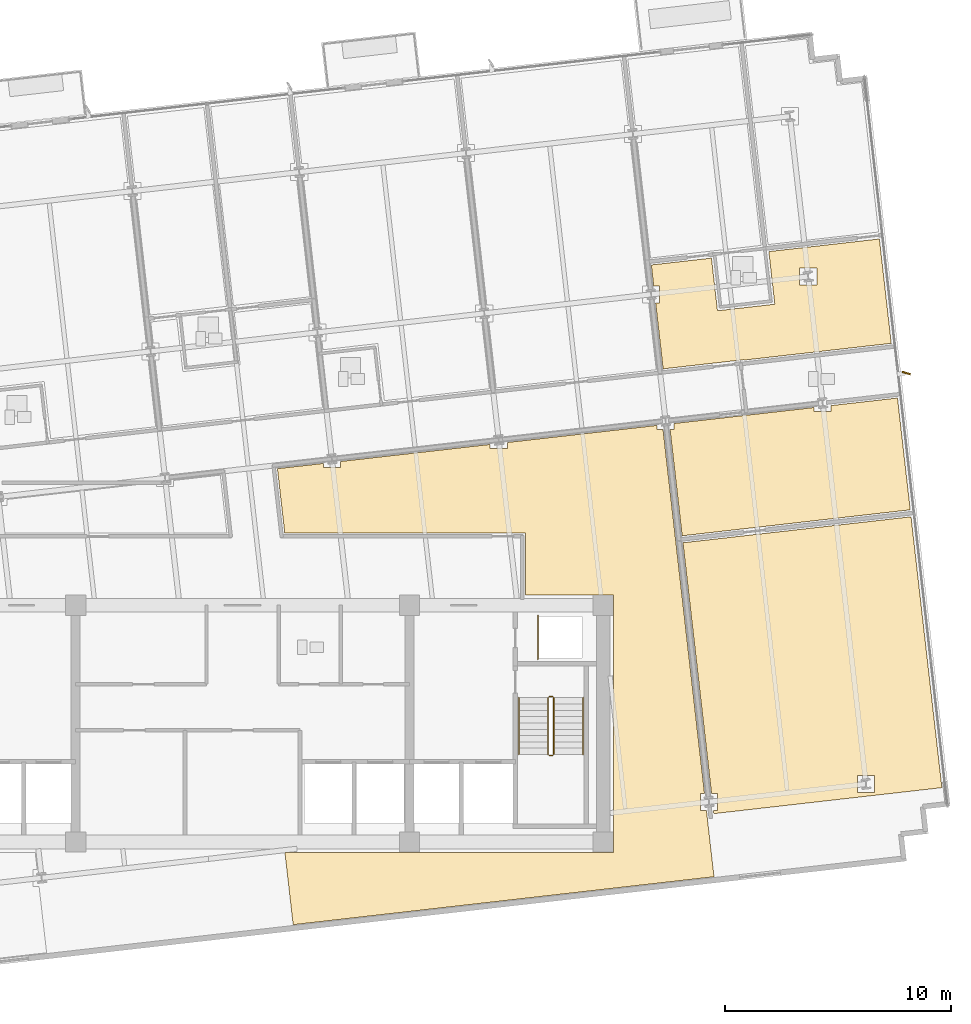
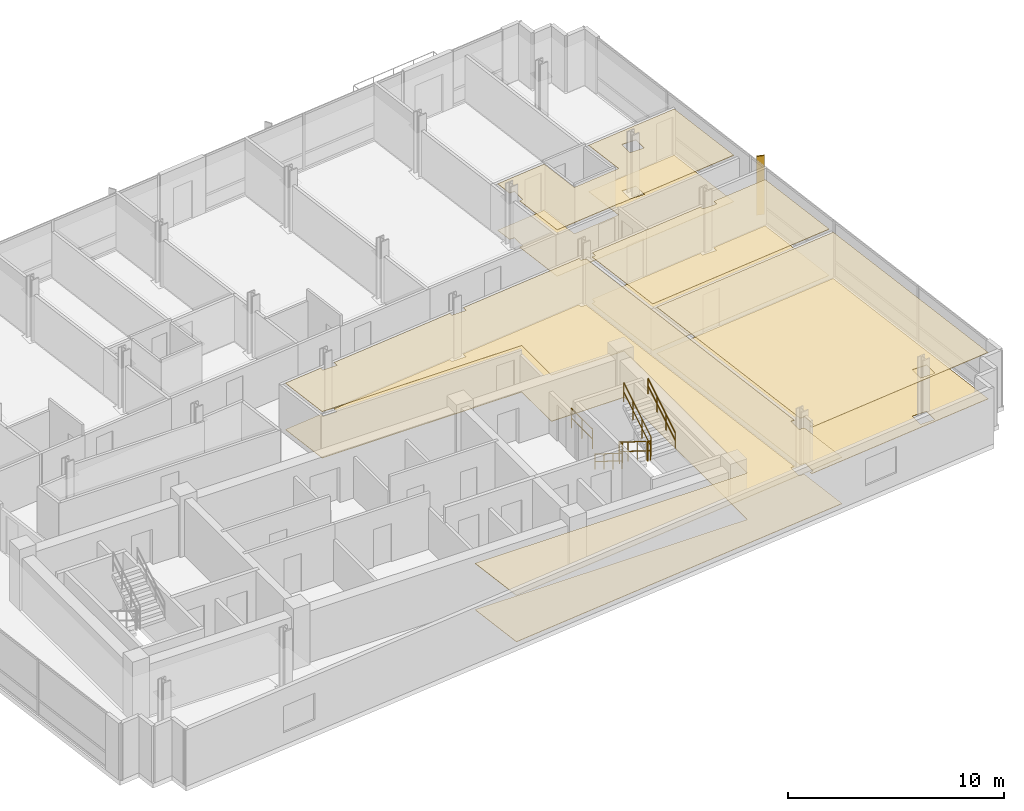
# One storey, part 14 of 16: 8 coverings, 7 railings, 1 shading device.
"""IFC4 building model written with IfcOpenShell, lengths in metres."""

from ifc_helpers import new_model, si_unit, direction, frame, origin, origin_2d, place, context, subcontext, project, spatial, polyline, rectangle, circle, outline, extrude, material, layer, layer_set, type_object, element, save


model = new_model("IFC4")

# Units and contexts
model_context = context("Model", 3, precision=1e-05, world=origin(), true_north=direction((0.0, 1.0)))
body_context = subcontext(model_context, "Body", "Model", "MODEL_VIEW")
ifc_project = project(units=[si_unit("LENGTHUNIT", "METRE"), si_unit("AREAUNIT", "SQUARE_METRE"), si_unit("VOLUMEUNIT", "CUBIC_METRE"), si_unit("PLANEANGLEUNIT", "RADIAN"), si_unit("MASSUNIT", "GRAM", prefix="KILO")], contexts=[model_context])

# Site, building, storey
site_placement = place(None, origin())
site = spatial("IfcSite", under=ifc_project, at=site_placement, CompositionType="ELEMENT")
building_placement = place(site_placement, origin())
building = spatial("IfcBuilding", under=site, at=building_placement, Name="Solmavex Isthmus Hotel", CompositionType="ELEMENT")
storey_placement = place(building_placement, frame((0.0, 0.0, 215.85009765625)))
storey = spatial("IfcBuildingStorey", under=building, at=storey_placement, Name="L58", CompositionType="ELEMENT", Elevation=215.85009765625)

# Coverings
ifc_material_1 = material(Name="Gypsum plasterboard lining", Category="gypsum")
ifc_layer_1 = layer(ifc_material_1, 0.030029296875)
ifc_layer_set_1 = layer_set([ifc_layer_1], Name="Gypsum plasterboard lining")
covering_type_1 = type_object("IfcCoveringType", Name="COV-CEIL-GYP", PredefinedType="CEILING", material=ifc_layer_set_1)
covering_1_placement = place(storey_placement, frame((0.0, 0.0, 2.619873046875)))
element("IfcCovering", 1, at=covering_1_placement, inside=storey, type_object=covering_type_1, Name="Suspended Acoustic Ceiling L58-SH06-LV", PredefinedType="CEILING", context=body_context, shape_type="SweptSolid", body=[
    extrude(outline(polyline([(18.23193359375, 11.6640625), (18.499267578125, 11.6640625), (18.499267578125, 10.904052734375), (18.318359375, 10.904052734375), (18.651611328125, 7.97998046875), (22.228515625, 8.3876953125), (22.230712890625, 8.36767578125), (28.766357421875, 9.1123046875), (28.2392578125, 13.740478515625), (23.3369140625, 13.181884765625), (23.602783203125, 10.846923828125), (21.059326171875, 10.55712890625), (20.793212890625, 12.89208984375), (18.12646484375, 12.588134765625), (18.17626953125, 12.15185546875), (18.23193359375, 11.6640625)]), holes=[polyline([(24.7021484375, 11.697265625), (24.7021484375, 12.457275390625), (25.462158203125, 12.457275390625), (25.462158203125, 11.697265625), (24.7021484375, 11.697265625)])]), origin(), (0.0, 0.0, 1.0), 0.030029296875),
])
covering_2_placement = place(storey_placement, frame((0.0, 0.0, 2.619873046875)))
element("IfcCovering", 2, at=covering_2_placement, inside=storey, type_object=covering_type_1, Name="Suspended Acoustic Ceiling L58-FL10", PredefinedType="CEILING", context=body_context, shape_type="SweptSolid", body=[
    extrude(outline(polyline([(19.138427734375, 5.5595703125), (19.138427734375, 5.292236328125), (18.957763671875, 5.292236328125), (19.494873046875, 0.577880859375), (29.607666015625, 1.730224609375), (29.042724609375, 6.68798828125), (26.1015625, 6.35302734375), (26.1015625, 6.085693359375), (25.341552734375, 6.085693359375), (25.341552734375, 6.266357421875), (19.138427734375, 5.5595703125)])), origin(), (0.0, 0.0, 1.0), 0.030029296875),
])
covering_3_placement = place(storey_placement, frame((0.0, 0.0, 2.619873046875)))
element("IfcCovering", 3, at=covering_3_placement, inside=storey, type_object=covering_type_1, Name="Suspended Acoustic Ceiling L58-FL12", PredefinedType="CEILING", context=body_context, shape_type="SweptSolid", body=[
    extrude(outline(polyline([(20.795654296875, -10.83837890625), (21.06298828125, -10.83837890625), (21.06298828125, -11.598388671875), (20.88232421875, -11.598388671875), (20.898681640625, -11.742431640625), (31.01123046875, -10.590087890625), (30.983642578125, -10.3466796875), (29.642578125, 1.422119140625), (19.530029296875, 0.27001953125), (20.795654296875, -10.83837890625)]), holes=[polyline([(27.265869140625, -10.80517578125), (27.265869140625, -10.045166015625), (28.02587890625, -10.045166015625), (28.02587890625, -10.80517578125), (27.265869140625, -10.80517578125)])]), origin(), (0.0, 0.0, 1.0), 0.030029296875),
])
covering_4_placement = place(storey_placement, frame((0.0, 0.0, 2.619873046875)))
element("IfcCovering", 4, at=covering_4_placement, inside=storey, type_object=covering_type_1, Name="Suspended Acoustic Ceiling L58-FL13", PredefinedType="CEILING", context=body_context, shape_type="SweptSolid", body=[
    extrude(outline(polyline([(4.34228515625, 3.873779296875), (4.34228515625, 3.6064453125), (3.582275390625, 3.6064453125), (3.582275390625, 3.787109375), (1.547607421875, 3.555419921875), (1.872314453125, 0.705078125), (12.554931640625, 0.705078125), (12.554931640625, -2.044921875), (16.455078125, -2.044921875), (16.455078125, -13.455078125), (1.87841796875, -13.455078125), (2.244140625, -16.665771484375), (20.905517578125, -14.53955078125), (20.5703125, -11.598388671875), (20.302978515625, -11.598388671875), (20.302978515625, -10.83837890625), (20.483642578125, -10.83837890625), (18.645751953125, 5.292236328125), (18.378662109375, 5.292236328125), (18.378662109375, 5.472900390625), (11.740478515625, 4.716796875), (11.740478515625, 4.449462890625), (10.98046875, 4.449462890625), (10.98046875, 4.630126953125), (4.34228515625, 3.873779296875)])), origin(), (0.0, 0.0, 1.0), 0.030029296875),
])
ifc_material_2 = material(Name="Travertine natural stone", Category="masonry")
ifc_layer_2 = layer(ifc_material_2, 0.02490234375)
ifc_layer_set_2 = layer_set([ifc_layer_2], Name="Travertine natural stone")
covering_type_2 = type_object("IfcCoveringType", Name="COV-FLOR-STN", PredefinedType="FLOORING", material=ifc_layer_set_2)
covering_5_placement = place(storey_placement, origin())
element("IfcCovering", 5, at=covering_5_placement, inside=storey, type_object=covering_type_2, Name="Stone and Timber Floor Finish L58-SH06-LV", PredefinedType="FLOORING", context=body_context, shape_type="SweptSolid", body=[
    extrude(outline(polyline([(18.23193359375, 11.6640625), (18.499267578125, 11.6640625), (18.499267578125, 10.904052734375), (18.318359375, 10.904052734375), (18.651611328125, 7.97998046875), (22.228515625, 8.3876953125), (22.230712890625, 8.36767578125), (28.766357421875, 9.1123046875), (28.2392578125, 13.740478515625), (23.3369140625, 13.181884765625), (23.602783203125, 10.846923828125), (21.059326171875, 10.55712890625), (20.793212890625, 12.89208984375), (18.12646484375, 12.588134765625), (18.17626953125, 12.15185546875), (18.23193359375, 11.6640625)]), holes=[polyline([(24.7021484375, 11.697265625), (24.7021484375, 12.457275390625), (25.462158203125, 12.457275390625), (25.462158203125, 11.697265625), (24.7021484375, 11.697265625)])]), origin(), (0.0, 0.0, 1.0), 0.02490234375),
])
covering_6_placement = place(storey_placement, origin())
element("IfcCovering", 6, at=covering_6_placement, inside=storey, type_object=covering_type_2, Name="Stone and Timber Floor Finish L58-FL10", PredefinedType="FLOORING", context=body_context, shape_type="SweptSolid", body=[
    extrude(outline(polyline([(19.138427734375, 5.5595703125), (19.138427734375, 5.292236328125), (18.957763671875, 5.292236328125), (19.494873046875, 0.577880859375), (29.607666015625, 1.730224609375), (29.042724609375, 6.68798828125), (26.1015625, 6.35302734375), (26.1015625, 6.085693359375), (25.341552734375, 6.085693359375), (25.341552734375, 6.266357421875), (19.138427734375, 5.5595703125)])), origin(), (0.0, 0.0, 1.0), 0.02490234375),
])
covering_7_placement = place(storey_placement, origin())
element("IfcCovering", 7, at=covering_7_placement, inside=storey, type_object=covering_type_2, Name="Stone and Timber Floor Finish L58-FL12", PredefinedType="FLOORING", context=body_context, shape_type="SweptSolid", body=[
    extrude(outline(polyline([(20.795654296875, -10.83837890625), (21.06298828125, -10.83837890625), (21.06298828125, -11.598388671875), (20.88232421875, -11.598388671875), (20.898681640625, -11.742431640625), (31.01123046875, -10.590087890625), (30.983642578125, -10.3466796875), (29.642578125, 1.422119140625), (19.530029296875, 0.27001953125), (20.795654296875, -10.83837890625)]), holes=[polyline([(27.265869140625, -10.80517578125), (27.265869140625, -10.045166015625), (28.02587890625, -10.045166015625), (28.02587890625, -10.80517578125), (27.265869140625, -10.80517578125)])]), origin(), (0.0, 0.0, 1.0), 0.02490234375),
])
covering_8_placement = place(storey_placement, origin())
element("IfcCovering", 8, at=covering_8_placement, inside=storey, type_object=covering_type_2, Name="Stone and Timber Floor Finish L58-FL13", PredefinedType="FLOORING", context=body_context, shape_type="SweptSolid", body=[
    extrude(outline(polyline([(4.34228515625, 3.873779296875), (4.34228515625, 3.6064453125), (3.582275390625, 3.6064453125), (3.582275390625, 3.787109375), (1.547607421875, 3.555419921875), (1.872314453125, 0.705078125), (12.554931640625, 0.705078125), (12.554931640625, -2.044921875), (16.455078125, -2.044921875), (16.455078125, -13.455078125), (1.87841796875, -13.455078125), (2.244140625, -16.665771484375), (20.905517578125, -14.53955078125), (20.5703125, -11.598388671875), (20.302978515625, -11.598388671875), (20.302978515625, -10.83837890625), (20.483642578125, -10.83837890625), (18.645751953125, 5.292236328125), (18.378662109375, 5.292236328125), (18.378662109375, 5.472900390625), (11.740478515625, 4.716796875), (11.740478515625, 4.449462890625), (10.98046875, 4.449462890625), (10.98046875, 4.630126953125), (4.34228515625, 3.873779296875)])), origin(), (0.0, 0.0, 1.0), 0.02490234375),
])

# Railings
ifc_material_3 = material(Name="Clear low-E laminated glass", Category="glass")
ifc_layer_3 = layer(ifc_material_3, 0.080078125)
ifc_layer_set_3 = layer_set([ifc_layer_3], Name="Clear low-E laminated glass")
railing_type_1 = type_object("IfcRailingType", Name="RAIL-ATRIUM-1120", PredefinedType="BALUSTRADE", material=ifc_layer_set_3)
railing_1_placement = place(storey_placement, frame((13.10009765625, -4.89990234375, 0.0)))
element("IfcRailing", 9, at=railing_1_placement, inside=storey, type_object=railing_type_1, Name="Guardrail Balustrade L58-RSE-01", PredefinedType="BALUSTRADE", context=body_context, shape_type="SweptSolid", body=[
    extrude(circle(Radius=0.02392578125, at=origin_2d()), frame((0.0, 0.0, 1.1259765625), z_axis=(0.0, 1.0, 0.0), x_axis=(-1.0, 0.0, 0.0)), (0.0, 0.0, 1.0), 1.949951171875),
    extrude(circle(Radius=0.02392578125, at=origin_2d()), frame((0.0, 0.0, 0.574951171875), z_axis=(0.0, 1.0, 0.0), x_axis=(-1.0, 0.0, 0.0)), (0.0, 0.0, 1.0), 1.949951171875),
    extrude(circle(Radius=0.02099609375, at=origin_2d()), origin(), (0.0, 0.0, 1.0), 1.101806640625),
    extrude(circle(Radius=0.02099609375, at=origin_2d()), frame((0.0, 0.97509765625, 0.0)), (0.0, 0.0, 1.0), 1.101806640625),
    extrude(circle(Radius=0.02099609375, at=origin_2d()), frame((0.0, 1.949951171875, 0.0)), (0.0, 0.0, 1.0), 1.101806640625),
])
ifc_material_4 = material(Name="Stainless steel 316", Category="steel")
ifc_layer_4 = layer(ifc_material_4, 0.06005859375)
ifc_layer_set_4 = layer_set([ifc_layer_4], Name="Stainless steel 316")
railing_type_2 = type_object("IfcRailingType", Name="RAIL-STAIR-GD", PredefinedType="GUARDRAIL", material=ifc_layer_set_4)
railing_2_placement = place(storey_placement, frame((13.550048828125, -6.60009765625, 0.17236328125)))
element("IfcRailing", 10, at=railing_2_placement, inside=storey, type_object=railing_type_2, Name="L58 ST-2 stair guard 1", PredefinedType="GUARDRAIL", context=body_context, shape_type="SweptSolid", body=[
    extrude(circle(Radius=0.02392578125, at=origin_2d()), frame((0.0, 0.0, 1.09619140625), z_axis=(0.0, -0.851400495292, 0.524516154772), x_axis=(1.0, 0.0, 0.0)), (0.0, 0.0, 1.0), 2.9599609375),
    extrude(circle(Radius=0.02392578125, at=origin_2d()), frame((0.0, 0.0, 0.56005859375), z_axis=(0.0, -0.851400495292, 0.524516154772), x_axis=(1.0, 0.0, 0.0)), (0.0, 0.0, 1.0), 2.9599609375),
    extrude(circle(Radius=0.02099609375, at=origin_2d()), origin(), (0.0, 0.0, 1.0), 1.072021484375),
    extrude(circle(Radius=0.02099609375, at=origin_2d()), frame((0.0, -0.840087890625, 0.517578125)), (0.0, 0.0, 1.0), 1.072021484375),
    extrude(circle(Radius=0.02099609375, at=origin_2d()), frame((0.0, -1.679931640625, 1.034912109375)), (0.0, 0.0, 1.0), 1.072021484375),
    extrude(circle(Radius=0.02099609375, at=origin_2d()), frame((0.0, -2.52001953125, 1.552490234375)), (0.0, 0.0, 1.0), 1.072021484375),
])
railing_3_placement = place(storey_placement, frame((13.60009765625, -9.169921875, 1.724853515625)))
element("IfcRailing", 11, at=railing_3_placement, inside=storey, type_object=railing_type_2, Name="L58 ST-2 stair guard 2", PredefinedType="GUARDRAIL", context=body_context, shape_type="SweptSolid", body=[
    extrude(circle(Radius=0.02392578125, at=origin_2d()), frame((0.0, 0.0, 1.09619140625), z_axis=(1.0, 0.0, 0.0), x_axis=(0.0, 1.0, 0.0)), (0.0, 0.0, 1.0), 0.14990234375),
    extrude(circle(Radius=0.02392578125, at=origin_2d()), frame((0.0, 0.0, 0.56005859375), z_axis=(1.0, 0.0, 0.0), x_axis=(0.0, 1.0, 0.0)), (0.0, 0.0, 1.0), 0.14990234375),
    extrude(circle(Radius=0.02099609375, at=origin_2d()), origin(), (0.0, 0.0, 1.0), 1.072021484375),
    extrude(circle(Radius=0.02099609375, at=origin_2d()), frame((0.14990234375, 0.0, 0.0)), (0.0, 0.0, 1.0), 1.072021484375),
])
railing_4_placement = place(storey_placement, frame((13.800048828125, -9.1201171875, 1.8974609375)))
element("IfcRailing", 12, at=railing_4_placement, inside=storey, type_object=railing_type_2, Name="L58 ST-2 stair guard 3", PredefinedType="GUARDRAIL", context=body_context, shape_type="SweptSolid", body=[
    extrude(circle(Radius=0.02392578125, at=origin_2d()), frame((0.0, 0.0, 1.09619140625), z_axis=(0.0, 0.851400495292, 0.524516154772), x_axis=(-1.0, 0.0, 0.0)), (0.0, 0.0, 1.0), 2.9599609375),
    extrude(circle(Radius=0.02392578125, at=origin_2d()), frame((0.0, 0.0, 0.56005859375), z_axis=(0.0, 0.851400495292, 0.524516154772), x_axis=(-1.0, 0.0, 0.0)), (0.0, 0.0, 1.0), 2.9599609375),
    extrude(circle(Radius=0.02099609375, at=origin_2d()), origin(), (0.0, 0.0, 1.0), 1.072021484375),
    extrude(circle(Radius=0.02099609375, at=origin_2d()), frame((0.0, 0.840087890625, 0.517578125)), (0.0, 0.0, 1.0), 1.072021484375),
    extrude(circle(Radius=0.02099609375, at=origin_2d()), frame((0.0, 1.679931640625, 1.034912109375)), (0.0, 0.0, 1.0), 1.072021484375),
    extrude(circle(Radius=0.02099609375, at=origin_2d()), frame((0.0, 2.52001953125, 1.552490234375)), (0.0, 0.0, 1.0), 1.072021484375),
])
railing_5_placement = place(storey_placement, frame((13.60009765625, -6.550048828125, 0.0)))
element("IfcRailing", 13, at=railing_5_placement, inside=storey, type_object=railing_type_2, Name="L58 ST-2 stair guard 4", PredefinedType="GUARDRAIL", context=body_context, shape_type="SweptSolid", body=[
    extrude(circle(Radius=0.02392578125, at=origin_2d()), frame((0.0, 0.0, 1.09619140625), z_axis=(1.0, 0.0, 0.0), x_axis=(0.0, 1.0, 0.0)), (0.0, 0.0, 1.0), 0.14990234375),
    extrude(circle(Radius=0.02392578125, at=origin_2d()), frame((0.0, 0.0, 0.56005859375), z_axis=(1.0, 0.0, 0.0), x_axis=(0.0, 1.0, 0.0)), (0.0, 0.0, 1.0), 0.14990234375),
    extrude(circle(Radius=0.02099609375, at=origin_2d()), origin(), (0.0, 0.0, 1.0), 1.072021484375),
    extrude(circle(Radius=0.02099609375, at=origin_2d()), frame((0.14990234375, 0.0, 0.0)), (0.0, 0.0, 1.0), 1.072021484375),
])
ifc_layer_5 = layer(ifc_material_4, 0.050048828125)
ifc_layer_set_5 = layer_set([ifc_layer_5], Name="Stainless steel 316")
railing_type_3 = type_object("IfcRailingType", Name="RAIL-STAIR-HR", PredefinedType="HANDRAIL", material=ifc_layer_set_5)
railing_6_placement = place(storey_placement, frame((12.25, -6.60009765625, 0.17236328125)))
element("IfcRailing", 14, at=railing_6_placement, inside=storey, type_object=railing_type_3, Name="L58 ST-2 stair handrail 1", PredefinedType="HANDRAIL", context=body_context, shape_type="SweptSolid", body=[
    extrude(circle(Radius=0.02392578125, at=origin_2d()), frame((0.0, 0.0, 0.8759765625), z_axis=(0.0, -0.851400495292, 0.524516154772), x_axis=(1.0, 0.0, 0.0)), (0.0, 0.0, 1.0), 2.9599609375),
    extrude(circle(Radius=0.02392578125, at=origin_2d()), frame((0.0, 0.0, 0.449951171875), z_axis=(0.0, -0.851400495292, 0.524516154772), x_axis=(1.0, 0.0, 0.0)), (0.0, 0.0, 1.0), 2.9599609375),
    extrude(circle(Radius=0.02099609375, at=origin_2d()), origin(), (0.0, 0.0, 1.0), 0.851806640625),
    extrude(circle(Radius=0.02099609375, at=origin_2d()), frame((0.0, -0.840087890625, 0.517578125)), (0.0, 0.0, 1.0), 0.851806640625),
    extrude(circle(Radius=0.02099609375, at=origin_2d()), frame((0.0, -1.679931640625, 1.034912109375)), (0.0, 0.0, 1.0), 0.851806640625),
    extrude(circle(Radius=0.02099609375, at=origin_2d()), frame((0.0, -2.52001953125, 1.552490234375)), (0.0, 0.0, 1.0), 0.851806640625),
])
railing_7_placement = place(storey_placement, frame((15.10009765625, -9.1201171875, 1.8974609375)))
element("IfcRailing", 15, at=railing_7_placement, inside=storey, type_object=railing_type_3, Name="L58 ST-2 stair handrail 2", PredefinedType="HANDRAIL", context=body_context, shape_type="SweptSolid", body=[
    extrude(circle(Radius=0.02392578125, at=origin_2d()), frame((0.0, 0.0, 0.8759765625), z_axis=(0.0, 0.851400495292, 0.524516154772), x_axis=(-1.0, 0.0, 0.0)), (0.0, 0.0, 1.0), 2.9599609375),
    extrude(circle(Radius=0.02392578125, at=origin_2d()), frame((0.0, 0.0, 0.449951171875), z_axis=(0.0, 0.851400495292, 0.524516154772), x_axis=(-1.0, 0.0, 0.0)), (0.0, 0.0, 1.0), 2.9599609375),
    extrude(circle(Radius=0.02099609375, at=origin_2d()), origin(), (0.0, 0.0, 1.0), 0.851806640625),
    extrude(circle(Radius=0.02099609375, at=origin_2d()), frame((0.0, 0.840087890625, 0.517578125)), (0.0, 0.0, 1.0), 0.851806640625),
    extrude(circle(Radius=0.02099609375, at=origin_2d()), frame((0.0, 1.679931640625, 1.034912109375)), (0.0, 0.0, 1.0), 0.851806640625),
    extrude(circle(Radius=0.02099609375, at=origin_2d()), frame((0.0, 2.52001953125, 1.552490234375)), (0.0, 0.0, 1.0), 0.851806640625),
])

# Shading device
ifc_material_5 = material(Name="Aluminium alloy 6063-T6", Category="aluminium")
shading_device_type = type_object("IfcShadingDeviceType", Name="SHD-FIN-CHAMP", PredefinedType="USERDEFINED", material=ifc_material_5)
shading_device_placement = place(storey_placement, frame((29.434814453125, 7.794677734375, -0.14013671875), z_axis=(0.0, 0.0, 1.0), x_axis=(0.953716950748, -0.300705799504, 0.0)))
element("IfcShadingDevice", 16, at=shading_device_placement, inside=storey, type_object=shading_device_type, Name="Anodised Aluminium Solar Fin L58-E1", ObjectType="SOLAR_FIN", PredefinedType="USERDEFINED", context=body_context, shape_type="SweptSolid", body=[
    extrude(rectangle(XDim=0.3798828125, YDim=0.070068359375, at=origin_2d()), origin(), (0.0, 0.0, 1.0), 3.330078125),
])

save(model, "model.ifc")
